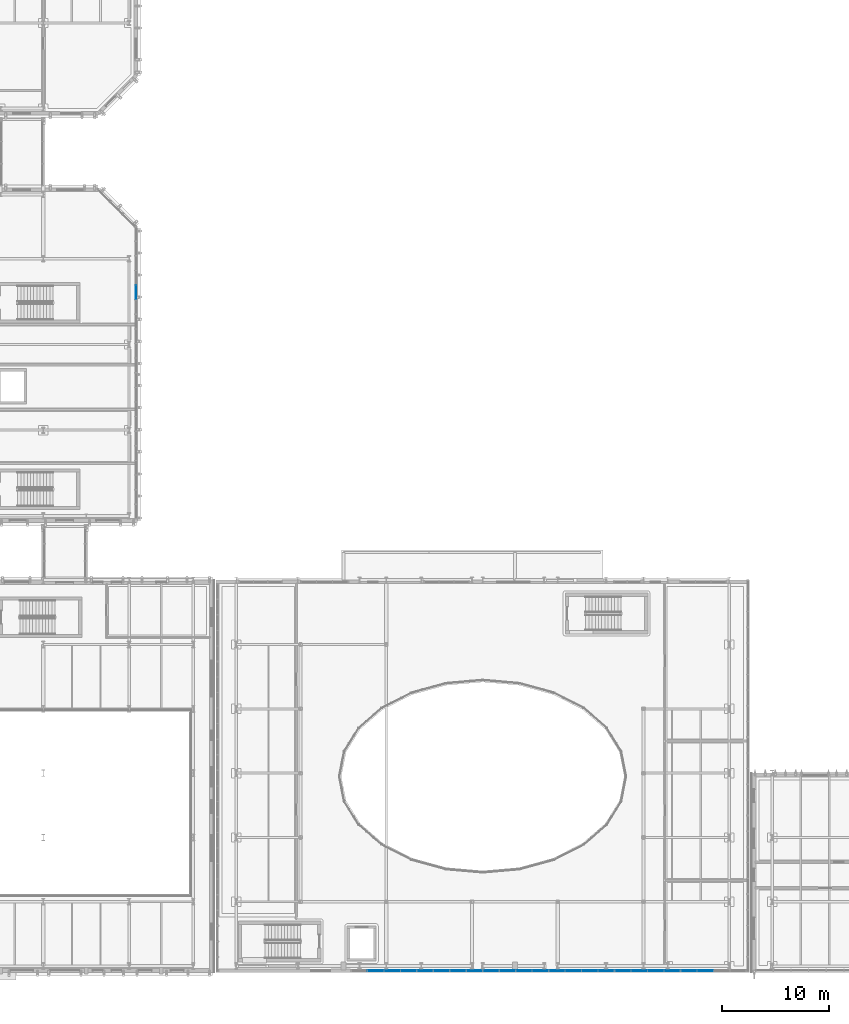
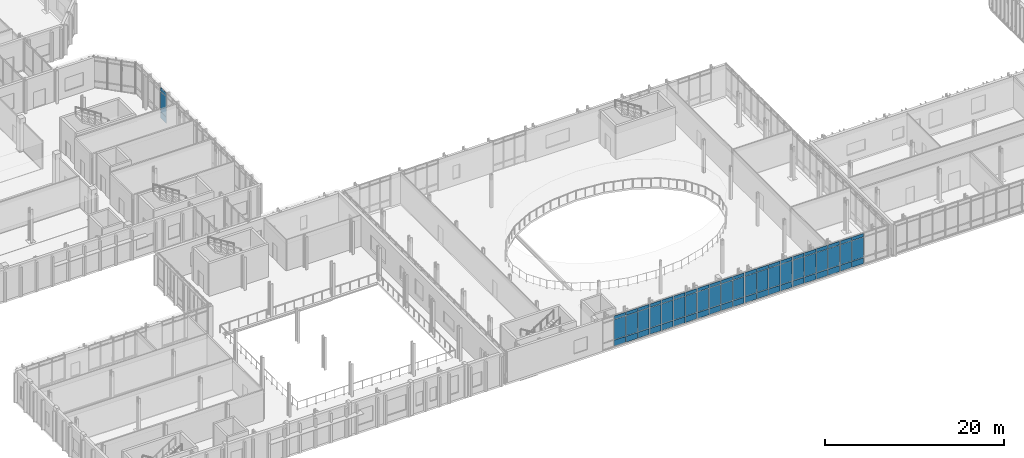
# One storey, part 51 of 100: 66 plates, 7 elements without a shape of their own.
"""IFC4 building model written with IfcOpenShell, lengths in metres."""

from ifc_helpers import new_model, si_unit, direction, frame, origin, origin_2d, place, context, subcontext, project, spatial, rectangle, extrude, material, layer, layer_set, type_object, element, aggregate, save


model = new_model("IFC4")

# Units and contexts
model_context = context("Model", 3, precision=1e-05, world=origin(), true_north=direction((0.0, 1.0)))
body_context = subcontext(model_context, "Body", "Model", "MODEL_VIEW")
ifc_project = project(units=[si_unit("LENGTHUNIT", "METRE"), si_unit("AREAUNIT", "SQUARE_METRE"), si_unit("VOLUMEUNIT", "CUBIC_METRE"), si_unit("PLANEANGLEUNIT", "RADIAN"), si_unit("MASSUNIT", "GRAM", prefix="KILO")], contexts=[model_context])

# Site, building, storey
site_placement = place(None, origin())
site = spatial("IfcSite", under=ifc_project, at=site_placement, CompositionType="ELEMENT")
building_placement = place(site_placement, origin())
building = spatial("IfcBuilding", under=site, at=building_placement, Name="Cymarion Research Institute", CompositionType="ELEMENT")
storey_placement = place(building_placement, frame((0.0, 0.0, 4.800048828125)))
storey = spatial("IfcBuildingStorey", under=building, at=storey_placement, Name="L01", CompositionType="ELEMENT", Elevation=4.800048828125)

# Curtain wall, plates
ifc_material_1 = material(Name="Anodised aluminium unitised curtain wall with Low-E glazing", Category="aluminium")
curtain_wall_type_1 = type_object("IfcCurtainWallType", Name="UNITISED CURTAIN WALL CW07 6150X4250", PredefinedType="NOTDEFINED", material=ifc_material_1)
curtain_wall_1_placement = place(storey_placement, origin())
curtain_wall_1 = element("IfcCurtainWall", 1, at=curtain_wall_1_placement, inside=storey, type_object=curtain_wall_type_1, Name="L01 V2 unitised curtain wall CW07 #13", PredefinedType="NOTDEFINED")
ifc_material_2 = material(Name="Insulated anodised aluminium spandrel panel", Category="aluminium")
ifc_layer_1 = layer(ifc_material_2, 0.06005859375)
ifc_layer_set_1 = layer_set([ifc_layer_1], Name="Insulated anodised aluminium spandrel panel")
plate_type_1 = type_object("IfcPlateType", Name="INSULATED ALUMINIUM SPANDREL PANEL SP01 60MM", PredefinedType="SHEET", material=ifc_layer_set_1)
plate_1_placement = place(storey_placement, frame((69.607177734375, 5.06005859375, 0.059814453125), z_axis=(0.0, 0.0, 1.0), x_axis=(1.0, 0.0, 0.0)))
plate_1 = element("IfcPlate", 2, at=plate_1_placement, type_object=plate_type_1, Name="CW07 panel 2.1", PredefinedType="SHEET", context=body_context, shape_type="SweptSolid", body=[
    extrude(rectangle(XDim=1.477294921875, YDim=0.06005859375, at=origin_2d()), origin(), (0.0, 0.0, 1.0), 0.81005859375),
])
plate_2_placement = place(storey_placement, frame((69.607177734375, 5.06005859375, 3.72998046875), z_axis=(0.0, 0.0, 1.0), x_axis=(1.0, 0.0, 0.0)))
plate_2 = element("IfcPlate", 3, at=plate_2_placement, type_object=plate_type_1, Name="CW07 panel 2.3", PredefinedType="SHEET", context=body_context, shape_type="SweptSolid", body=[
    extrude(rectangle(XDim=1.477294921875, YDim=0.06005859375, at=origin_2d()), origin(), (0.0, 0.0, 1.0), 0.4599609375),
])
plate_3_placement = place(storey_placement, frame((71.14453125, 5.06005859375, 0.059814453125), z_axis=(0.0, 0.0, 1.0), x_axis=(1.0, 0.0, 0.0)))
plate_3 = element("IfcPlate", 4, at=plate_3_placement, type_object=plate_type_1, Name="CW07 panel 3.1", PredefinedType="SHEET", context=body_context, shape_type="SweptSolid", body=[
    extrude(rectangle(XDim=1.477294921875, YDim=0.06005859375, at=origin_2d()), origin(), (0.0, 0.0, 1.0), 0.81005859375),
])
plate_4_placement = place(storey_placement, frame((71.14453125, 5.06005859375, 3.72998046875), z_axis=(0.0, 0.0, 1.0), x_axis=(1.0, 0.0, 0.0)))
plate_4 = element("IfcPlate", 5, at=plate_4_placement, type_object=plate_type_1, Name="CW07 panel 3.3", PredefinedType="SHEET", context=body_context, shape_type="SweptSolid", body=[
    extrude(rectangle(XDim=1.477294921875, YDim=0.06005859375, at=origin_2d()), origin(), (0.0, 0.0, 1.0), 0.4599609375),
])
plate_5_placement = place(storey_placement, frame((72.666748046875, 5.06005859375, 0.059814453125), z_axis=(0.0, 0.0, 1.0), x_axis=(1.0, 0.0, 0.0)))
plate_5 = element("IfcPlate", 6, at=plate_5_placement, type_object=plate_type_1, Name="CW07 panel 4.1", PredefinedType="SHEET", context=body_context, shape_type="SweptSolid", body=[
    extrude(rectangle(XDim=1.447265625, YDim=0.06005859375, at=origin_2d()), origin(), (0.0, 0.0, 1.0), 0.81005859375),
])
plate_6_placement = place(storey_placement, frame((72.666748046875, 5.06005859375, 3.72998046875), z_axis=(0.0, 0.0, 1.0), x_axis=(1.0, 0.0, 0.0)))
plate_6 = element("IfcPlate", 7, at=plate_6_placement, type_object=plate_type_1, Name="CW07 panel 4.3", PredefinedType="SHEET", context=body_context, shape_type="SweptSolid", body=[
    extrude(rectangle(XDim=1.447265625, YDim=0.06005859375, at=origin_2d()), origin(), (0.0, 0.0, 1.0), 0.4599609375),
])

curtain_wall_2_placement = place(storey_placement, origin())
curtain_wall_2 = element("IfcCurtainWall", 8, at=curtain_wall_2_placement, inside=storey, type_object=curtain_wall_type_1, Name="L01 V2 unitised curtain wall CW07 #14", PredefinedType="NOTDEFINED")
plate_7_placement = place(storey_placement, frame((74.234130859375, 5.06005859375, 0.059814453125), z_axis=(0.0, 0.0, 1.0), x_axis=(1.0, 0.0, 0.0)))
plate_7 = element("IfcPlate", 9, at=plate_7_placement, type_object=plate_type_1, Name="CW07 panel 1.1", PredefinedType="SHEET", context=body_context, shape_type="SweptSolid", body=[
    extrude(rectangle(XDim=1.447265625, YDim=0.06005859375, at=origin_2d()), origin(), (0.0, 0.0, 1.0), 0.81005859375),
])
plate_8_placement = place(storey_placement, frame((74.234130859375, 5.06005859375, 3.72998046875), z_axis=(0.0, 0.0, 1.0), x_axis=(1.0, 0.0, 0.0)))
plate_8 = element("IfcPlate", 10, at=plate_8_placement, type_object=plate_type_1, Name="CW07 panel 1.3", PredefinedType="SHEET", context=body_context, shape_type="SweptSolid", body=[
    extrude(rectangle(XDim=1.447265625, YDim=0.06005859375, at=origin_2d()), origin(), (0.0, 0.0, 1.0), 0.4599609375),
])
plate_9_placement = place(storey_placement, frame((75.756591796875, 5.06005859375, 0.059814453125), z_axis=(0.0, 0.0, 1.0), x_axis=(1.0, 0.0, 0.0)))
plate_9 = element("IfcPlate", 11, at=plate_9_placement, type_object=plate_type_1, Name="CW07 panel 2.1", PredefinedType="SHEET", context=body_context, shape_type="SweptSolid", body=[
    extrude(rectangle(XDim=1.477294921875, YDim=0.06005859375, at=origin_2d()), origin(), (0.0, 0.0, 1.0), 0.81005859375),
])
plate_10_placement = place(storey_placement, frame((75.756591796875, 5.06005859375, 3.72998046875), z_axis=(0.0, 0.0, 1.0), x_axis=(1.0, 0.0, 0.0)))
plate_10 = element("IfcPlate", 12, at=plate_10_placement, type_object=plate_type_1, Name="CW07 panel 2.3", PredefinedType="SHEET", context=body_context, shape_type="SweptSolid", body=[
    extrude(rectangle(XDim=1.477294921875, YDim=0.06005859375, at=origin_2d()), origin(), (0.0, 0.0, 1.0), 0.4599609375),
])
plate_11_placement = place(storey_placement, frame((77.2939453125, 5.06005859375, 0.059814453125), z_axis=(0.0, 0.0, 1.0), x_axis=(1.0, 0.0, 0.0)))
plate_11 = element("IfcPlate", 13, at=plate_11_placement, type_object=plate_type_1, Name="CW07 panel 3.1", PredefinedType="SHEET", context=body_context, shape_type="SweptSolid", body=[
    extrude(rectangle(XDim=1.477294921875, YDim=0.06005859375, at=origin_2d()), origin(), (0.0, 0.0, 1.0), 0.81005859375),
])
plate_12_placement = place(storey_placement, frame((77.2939453125, 5.06005859375, 3.72998046875), z_axis=(0.0, 0.0, 1.0), x_axis=(1.0, 0.0, 0.0)))
plate_12 = element("IfcPlate", 14, at=plate_12_placement, type_object=plate_type_1, Name="CW07 panel 3.3", PredefinedType="SHEET", context=body_context, shape_type="SweptSolid", body=[
    extrude(rectangle(XDim=1.477294921875, YDim=0.06005859375, at=origin_2d()), origin(), (0.0, 0.0, 1.0), 0.4599609375),
])
plate_13_placement = place(storey_placement, frame((78.81640625, 5.06005859375, 0.059814453125), z_axis=(0.0, 0.0, 1.0), x_axis=(1.0, 0.0, 0.0)))
plate_13 = element("IfcPlate", 15, at=plate_13_placement, type_object=plate_type_1, Name="CW07 panel 4.1", PredefinedType="SHEET", context=body_context, shape_type="SweptSolid", body=[
    extrude(rectangle(XDim=1.447265625, YDim=0.06005859375, at=origin_2d()), origin(), (0.0, 0.0, 1.0), 0.81005859375),
])
plate_14_placement = place(storey_placement, frame((78.81640625, 5.06005859375, 3.72998046875), z_axis=(0.0, 0.0, 1.0), x_axis=(1.0, 0.0, 0.0)))
plate_14 = element("IfcPlate", 16, at=plate_14_placement, type_object=plate_type_1, Name="CW07 panel 4.3", PredefinedType="SHEET", context=body_context, shape_type="SweptSolid", body=[
    extrude(rectangle(XDim=1.447265625, YDim=0.06005859375, at=origin_2d()), origin(), (0.0, 0.0, 1.0), 0.4599609375),
])

curtain_wall_3_placement = place(storey_placement, origin())
curtain_wall_3 = element("IfcCurtainWall", 17, at=curtain_wall_3_placement, inside=storey, type_object=curtain_wall_type_1, Name="L01 V2 unitised curtain wall CW07 #15", PredefinedType="NOTDEFINED")
plate_15_placement = place(storey_placement, frame((80.3837890625, 5.06005859375, 0.059814453125), z_axis=(0.0, 0.0, 1.0), x_axis=(1.0, 0.0, 0.0)))
plate_15 = element("IfcPlate", 18, at=plate_15_placement, type_object=plate_type_1, Name="CW07 panel 1.1", PredefinedType="SHEET", context=body_context, shape_type="SweptSolid", body=[
    extrude(rectangle(XDim=1.447265625, YDim=0.06005859375, at=origin_2d()), origin(), (0.0, 0.0, 1.0), 0.81005859375),
])
plate_16_placement = place(storey_placement, frame((80.3837890625, 5.06005859375, 3.72998046875), z_axis=(0.0, 0.0, 1.0), x_axis=(1.0, 0.0, 0.0)))
plate_16 = element("IfcPlate", 19, at=plate_16_placement, type_object=plate_type_1, Name="CW07 panel 1.3", PredefinedType="SHEET", context=body_context, shape_type="SweptSolid", body=[
    extrude(rectangle(XDim=1.447265625, YDim=0.06005859375, at=origin_2d()), origin(), (0.0, 0.0, 1.0), 0.4599609375),
])
plate_17_placement = place(storey_placement, frame((81.906005859375, 5.06005859375, 0.059814453125), z_axis=(0.0, 0.0, 1.0), x_axis=(1.0, 0.0, 0.0)))
plate_17 = element("IfcPlate", 20, at=plate_17_placement, type_object=plate_type_1, Name="CW07 panel 2.1", PredefinedType="SHEET", context=body_context, shape_type="SweptSolid", body=[
    extrude(rectangle(XDim=1.477294921875, YDim=0.06005859375, at=origin_2d()), origin(), (0.0, 0.0, 1.0), 0.81005859375),
])
plate_18_placement = place(storey_placement, frame((81.906005859375, 5.06005859375, 3.72998046875), z_axis=(0.0, 0.0, 1.0), x_axis=(1.0, 0.0, 0.0)))
plate_18 = element("IfcPlate", 21, at=plate_18_placement, type_object=plate_type_1, Name="CW07 panel 2.3", PredefinedType="SHEET", context=body_context, shape_type="SweptSolid", body=[
    extrude(rectangle(XDim=1.477294921875, YDim=0.06005859375, at=origin_2d()), origin(), (0.0, 0.0, 1.0), 0.4599609375),
])
plate_19_placement = place(storey_placement, frame((83.443359375, 5.06005859375, 0.059814453125), z_axis=(0.0, 0.0, 1.0), x_axis=(1.0, 0.0, 0.0)))
plate_19 = element("IfcPlate", 22, at=plate_19_placement, type_object=plate_type_1, Name="CW07 panel 3.1", PredefinedType="SHEET", context=body_context, shape_type="SweptSolid", body=[
    extrude(rectangle(XDim=1.477294921875, YDim=0.06005859375, at=origin_2d()), origin(), (0.0, 0.0, 1.0), 0.81005859375),
])
plate_20_placement = place(storey_placement, frame((83.443359375, 5.06005859375, 3.72998046875), z_axis=(0.0, 0.0, 1.0), x_axis=(1.0, 0.0, 0.0)))
plate_20 = element("IfcPlate", 23, at=plate_20_placement, type_object=plate_type_1, Name="CW07 panel 3.3", PredefinedType="SHEET", context=body_context, shape_type="SweptSolid", body=[
    extrude(rectangle(XDim=1.477294921875, YDim=0.06005859375, at=origin_2d()), origin(), (0.0, 0.0, 1.0), 0.4599609375),
])
plate_21_placement = place(storey_placement, frame((84.9658203125, 5.06005859375, 0.059814453125), z_axis=(0.0, 0.0, 1.0), x_axis=(1.0, 0.0, 0.0)))
plate_21 = element("IfcPlate", 24, at=plate_21_placement, type_object=plate_type_1, Name="CW07 panel 4.1", PredefinedType="SHEET", context=body_context, shape_type="SweptSolid", body=[
    extrude(rectangle(XDim=1.447265625, YDim=0.06005859375, at=origin_2d()), origin(), (0.0, 0.0, 1.0), 0.81005859375),
])
plate_22_placement = place(storey_placement, frame((84.9658203125, 5.06005859375, 3.72998046875), z_axis=(0.0, 0.0, 1.0), x_axis=(1.0, 0.0, 0.0)))
plate_22 = element("IfcPlate", 25, at=plate_22_placement, type_object=plate_type_1, Name="CW07 panel 4.3", PredefinedType="SHEET", context=body_context, shape_type="SweptSolid", body=[
    extrude(rectangle(XDim=1.447265625, YDim=0.06005859375, at=origin_2d()), origin(), (0.0, 0.0, 1.0), 0.4599609375),
])

curtain_wall_4_placement = place(storey_placement, origin())
curtain_wall_4 = element("IfcCurtainWall", 26, at=curtain_wall_4_placement, inside=storey, type_object=curtain_wall_type_1, Name="L01 V2 unitised curtain wall CW07 #16", PredefinedType="NOTDEFINED")
plate_23_placement = place(storey_placement, frame((86.533203125, 5.06005859375, 0.059814453125), z_axis=(0.0, 0.0, 1.0), x_axis=(1.0, 0.0, 0.0)))
plate_23 = element("IfcPlate", 27, at=plate_23_placement, type_object=plate_type_1, Name="CW07 panel 1.1", PredefinedType="SHEET", context=body_context, shape_type="SweptSolid", body=[
    extrude(rectangle(XDim=1.447265625, YDim=0.06005859375, at=origin_2d()), origin(), (0.0, 0.0, 1.0), 0.81005859375),
])
plate_24_placement = place(storey_placement, frame((86.533203125, 5.06005859375, 3.72998046875), z_axis=(0.0, 0.0, 1.0), x_axis=(1.0, 0.0, 0.0)))
plate_24 = element("IfcPlate", 28, at=plate_24_placement, type_object=plate_type_1, Name="CW07 panel 1.3", PredefinedType="SHEET", context=body_context, shape_type="SweptSolid", body=[
    extrude(rectangle(XDim=1.447265625, YDim=0.06005859375, at=origin_2d()), origin(), (0.0, 0.0, 1.0), 0.4599609375),
])
plate_25_placement = place(storey_placement, frame((88.0556640625, 5.06005859375, 0.059814453125), z_axis=(0.0, 0.0, 1.0), x_axis=(1.0, 0.0, 0.0)))
plate_25 = element("IfcPlate", 29, at=plate_25_placement, type_object=plate_type_1, Name="CW07 panel 2.1", PredefinedType="SHEET", context=body_context, shape_type="SweptSolid", body=[
    extrude(rectangle(XDim=1.477294921875, YDim=0.06005859375, at=origin_2d()), origin(), (0.0, 0.0, 1.0), 0.81005859375),
])
plate_26_placement = place(storey_placement, frame((88.0556640625, 5.06005859375, 3.72998046875), z_axis=(0.0, 0.0, 1.0), x_axis=(1.0, 0.0, 0.0)))
plate_26 = element("IfcPlate", 30, at=plate_26_placement, type_object=plate_type_1, Name="CW07 panel 2.3", PredefinedType="SHEET", context=body_context, shape_type="SweptSolid", body=[
    extrude(rectangle(XDim=1.477294921875, YDim=0.06005859375, at=origin_2d()), origin(), (0.0, 0.0, 1.0), 0.4599609375),
])
plate_27_placement = place(storey_placement, frame((89.593017578125, 5.06005859375, 0.059814453125), z_axis=(0.0, 0.0, 1.0), x_axis=(1.0, 0.0, 0.0)))
plate_27 = element("IfcPlate", 31, at=plate_27_placement, type_object=plate_type_1, Name="CW07 panel 3.1", PredefinedType="SHEET", context=body_context, shape_type="SweptSolid", body=[
    extrude(rectangle(XDim=1.477294921875, YDim=0.06005859375, at=origin_2d()), origin(), (0.0, 0.0, 1.0), 0.81005859375),
])
plate_28_placement = place(storey_placement, frame((89.593017578125, 5.06005859375, 3.72998046875), z_axis=(0.0, 0.0, 1.0), x_axis=(1.0, 0.0, 0.0)))
plate_28 = element("IfcPlate", 32, at=plate_28_placement, type_object=plate_type_1, Name="CW07 panel 3.3", PredefinedType="SHEET", context=body_context, shape_type="SweptSolid", body=[
    extrude(rectangle(XDim=1.477294921875, YDim=0.06005859375, at=origin_2d()), origin(), (0.0, 0.0, 1.0), 0.4599609375),
])
plate_29_placement = place(storey_placement, frame((91.115234375, 5.06005859375, 0.059814453125), z_axis=(0.0, 0.0, 1.0), x_axis=(1.0, 0.0, 0.0)))
plate_29 = element("IfcPlate", 33, at=plate_29_placement, type_object=plate_type_1, Name="CW07 panel 4.1", PredefinedType="SHEET", context=body_context, shape_type="SweptSolid", body=[
    extrude(rectangle(XDim=1.447265625, YDim=0.06005859375, at=origin_2d()), origin(), (0.0, 0.0, 1.0), 0.81005859375),
])
plate_30_placement = place(storey_placement, frame((91.115234375, 5.06005859375, 3.72998046875), z_axis=(0.0, 0.0, 1.0), x_axis=(1.0, 0.0, 0.0)))
plate_30 = element("IfcPlate", 34, at=plate_30_placement, type_object=plate_type_1, Name="CW07 panel 4.3", PredefinedType="SHEET", context=body_context, shape_type="SweptSolid", body=[
    extrude(rectangle(XDim=1.447265625, YDim=0.06005859375, at=origin_2d()), origin(), (0.0, 0.0, 1.0), 0.4599609375),
])

curtain_wall_5_placement = place(storey_placement, origin())
curtain_wall_5 = element("IfcCurtainWall", 35, at=curtain_wall_5_placement, inside=storey, type_object=curtain_wall_type_1, Name="L01 V2 unitised curtain wall CW07 #17", PredefinedType="NOTDEFINED")
plate_31_placement = place(storey_placement, frame((92.6826171875, 5.06005859375, 0.059814453125), z_axis=(0.0, 0.0, 1.0), x_axis=(1.0, 0.0, 0.0)))
plate_31 = element("IfcPlate", 36, at=plate_31_placement, type_object=plate_type_1, Name="CW07 panel 1.1", PredefinedType="SHEET", context=body_context, shape_type="SweptSolid", body=[
    extrude(rectangle(XDim=1.447265625, YDim=0.06005859375, at=origin_2d()), origin(), (0.0, 0.0, 1.0), 0.81005859375),
])
plate_32_placement = place(storey_placement, frame((92.6826171875, 5.06005859375, 3.72998046875), z_axis=(0.0, 0.0, 1.0), x_axis=(1.0, 0.0, 0.0)))
plate_32 = element("IfcPlate", 37, at=plate_32_placement, type_object=plate_type_1, Name="CW07 panel 1.3", PredefinedType="SHEET", context=body_context, shape_type="SweptSolid", body=[
    extrude(rectangle(XDim=1.447265625, YDim=0.06005859375, at=origin_2d()), origin(), (0.0, 0.0, 1.0), 0.4599609375),
])
plate_33_placement = place(storey_placement, frame((94.205078125, 5.06005859375, 0.059814453125), z_axis=(0.0, 0.0, 1.0), x_axis=(1.0, 0.0, 0.0)))
plate_33 = element("IfcPlate", 38, at=plate_33_placement, type_object=plate_type_1, Name="CW07 panel 2.1", PredefinedType="SHEET", context=body_context, shape_type="SweptSolid", body=[
    extrude(rectangle(XDim=1.477294921875, YDim=0.06005859375, at=origin_2d()), origin(), (0.0, 0.0, 1.0), 0.81005859375),
])
plate_34_placement = place(storey_placement, frame((94.205078125, 5.06005859375, 3.72998046875), z_axis=(0.0, 0.0, 1.0), x_axis=(1.0, 0.0, 0.0)))
plate_34 = element("IfcPlate", 39, at=plate_34_placement, type_object=plate_type_1, Name="CW07 panel 2.3", PredefinedType="SHEET", context=body_context, shape_type="SweptSolid", body=[
    extrude(rectangle(XDim=1.477294921875, YDim=0.06005859375, at=origin_2d()), origin(), (0.0, 0.0, 1.0), 0.4599609375),
])
plate_35_placement = place(storey_placement, frame((95.742431640625, 5.06005859375, 0.059814453125), z_axis=(0.0, 0.0, 1.0), x_axis=(1.0, 0.0, 0.0)))
plate_35 = element("IfcPlate", 40, at=plate_35_placement, type_object=plate_type_1, Name="CW07 panel 3.1", PredefinedType="SHEET", context=body_context, shape_type="SweptSolid", body=[
    extrude(rectangle(XDim=1.477294921875, YDim=0.06005859375, at=origin_2d()), origin(), (0.0, 0.0, 1.0), 0.81005859375),
])
plate_36_placement = place(storey_placement, frame((95.742431640625, 5.06005859375, 3.72998046875), z_axis=(0.0, 0.0, 1.0), x_axis=(1.0, 0.0, 0.0)))
plate_36 = element("IfcPlate", 41, at=plate_36_placement, type_object=plate_type_1, Name="CW07 panel 3.3", PredefinedType="SHEET", context=body_context, shape_type="SweptSolid", body=[
    extrude(rectangle(XDim=1.477294921875, YDim=0.06005859375, at=origin_2d()), origin(), (0.0, 0.0, 1.0), 0.4599609375),
])
plate_37_placement = place(storey_placement, frame((97.264892578125, 5.06005859375, 0.059814453125), z_axis=(0.0, 0.0, 1.0), x_axis=(1.0, 0.0, 0.0)))
plate_37 = element("IfcPlate", 42, at=plate_37_placement, type_object=plate_type_1, Name="CW07 panel 4.1", PredefinedType="SHEET", context=body_context, shape_type="SweptSolid", body=[
    extrude(rectangle(XDim=1.447265625, YDim=0.06005859375, at=origin_2d()), origin(), (0.0, 0.0, 1.0), 0.81005859375),
])
plate_38_placement = place(storey_placement, frame((97.264892578125, 5.06005859375, 3.72998046875), z_axis=(0.0, 0.0, 1.0), x_axis=(1.0, 0.0, 0.0)))
plate_38 = element("IfcPlate", 43, at=plate_38_placement, type_object=plate_type_1, Name="CW07 panel 4.3", PredefinedType="SHEET", context=body_context, shape_type="SweptSolid", body=[
    extrude(rectangle(XDim=1.447265625, YDim=0.06005859375, at=origin_2d()), origin(), (0.0, 0.0, 1.0), 0.4599609375),
])

curtain_wall_6_placement = place(storey_placement, origin())
curtain_wall_6 = element("IfcCurtainWall", 44, at=curtain_wall_6_placement, inside=storey, type_object=curtain_wall_type_1, Name="L01 V2 unitised curtain wall CW07 #18", PredefinedType="NOTDEFINED")
plate_39_placement = place(storey_placement, frame((98.832275390625, 5.06005859375, 0.059814453125), z_axis=(0.0, 0.0, 1.0), x_axis=(1.0, 0.0, 0.0)))
plate_39 = element("IfcPlate", 45, at=plate_39_placement, type_object=plate_type_1, Name="CW07 panel 1.1", PredefinedType="SHEET", context=body_context, shape_type="SweptSolid", body=[
    extrude(rectangle(XDim=1.447265625, YDim=0.06005859375, at=origin_2d()), origin(), (0.0, 0.0, 1.0), 0.81005859375),
])
plate_40_placement = place(storey_placement, frame((98.832275390625, 5.06005859375, 3.72998046875), z_axis=(0.0, 0.0, 1.0), x_axis=(1.0, 0.0, 0.0)))
plate_40 = element("IfcPlate", 46, at=plate_40_placement, type_object=plate_type_1, Name="CW07 panel 1.3", PredefinedType="SHEET", context=body_context, shape_type="SweptSolid", body=[
    extrude(rectangle(XDim=1.447265625, YDim=0.06005859375, at=origin_2d()), origin(), (0.0, 0.0, 1.0), 0.4599609375),
])
plate_41_placement = place(storey_placement, frame((100.3544921875, 5.06005859375, 0.059814453125), z_axis=(0.0, 0.0, 1.0), x_axis=(1.0, 0.0, 0.0)))
plate_41 = element("IfcPlate", 47, at=plate_41_placement, type_object=plate_type_1, Name="CW07 panel 2.1", PredefinedType="SHEET", context=body_context, shape_type="SweptSolid", body=[
    extrude(rectangle(XDim=1.477294921875, YDim=0.06005859375, at=origin_2d()), origin(), (0.0, 0.0, 1.0), 0.81005859375),
])
plate_42_placement = place(storey_placement, frame((100.3544921875, 5.06005859375, 3.72998046875), z_axis=(0.0, 0.0, 1.0), x_axis=(1.0, 0.0, 0.0)))
plate_42 = element("IfcPlate", 48, at=plate_42_placement, type_object=plate_type_1, Name="CW07 panel 2.3", PredefinedType="SHEET", context=body_context, shape_type="SweptSolid", body=[
    extrude(rectangle(XDim=1.477294921875, YDim=0.06005859375, at=origin_2d()), origin(), (0.0, 0.0, 1.0), 0.4599609375),
])

curtain_wall_type_2 = type_object("IfcCurtainWallType", Name="UNITISED CURTAIN WALL CW20 6820X4250", PredefinedType="NOTDEFINED", material=ifc_material_1)
curtain_wall_7_placement = place(storey_placement, origin())
curtain_wall_7 = element("IfcCurtainWall", 49, at=curtain_wall_7_placement, inside=storey, type_object=curtain_wall_type_2, Name="L01 V4 unitised curtain wall CW20 #42", PredefinedType="NOTDEFINED")
plate_43_placement = place(storey_placement, frame((47.22998046875, 68.37744140625, 0.059814453125), z_axis=(0.0, 0.0, 1.0), x_axis=(0.0, 1.0, 0.0)))
plate_43 = element("IfcPlate", 50, at=plate_43_placement, type_object=plate_type_1, Name="CW20 panel 1.1", PredefinedType="SHEET", context=body_context, shape_type="SweptSolid", body=[
    extrude(rectangle(XDim=1.27392578125, YDim=0.06005859375, at=origin_2d()), origin(), (0.0, 0.0, 1.0), 0.81005859375),
])
plate_44_placement = place(storey_placement, frame((47.22998046875, 68.37744140625, 3.72998046875), z_axis=(0.0, 0.0, 1.0), x_axis=(0.0, 1.0, 0.0)))
plate_44 = element("IfcPlate", 51, at=plate_44_placement, type_object=plate_type_1, Name="CW20 panel 1.3", PredefinedType="SHEET", context=body_context, shape_type="SweptSolid", body=[
    extrude(rectangle(XDim=1.27392578125, YDim=0.06005859375, at=origin_2d()), origin(), (0.0, 0.0, 1.0), 0.4599609375),
])

# Plate
ifc_material_3 = material(Name="Low-E double solar-control glazing", Category="glass")
ifc_layer_2 = layer(ifc_material_3, 0.035888671875)
ifc_layer_set_2 = layer_set([ifc_layer_2], Name="Low-E double solar-control glazing")
plate_type_2 = type_object("IfcPlateType", Name="SOLAR CONTROL GLAZED VISION PANEL GP01 36MM", PredefinedType="CURTAIN_PANEL", material=ifc_layer_set_2)
plate_45_placement = place(storey_placement, frame((69.607177734375, 5.06005859375, 0.93017578125), z_axis=(0.0, 0.0, 1.0), x_axis=(1.0, 0.0, 0.0)))
plate_45 = element("IfcPlate", 52, at=plate_45_placement, type_object=plate_type_2, Name="CW07 panel 2.2", PredefinedType="CURTAIN_PANEL", context=body_context, shape_type="SweptSolid", body=[
    extrude(rectangle(XDim=1.477294921875, YDim=0.035888671875, at=origin_2d()), origin(), (0.0, 0.0, 1.0), 2.739990234375),
])

plate_46_placement = place(storey_placement, frame((71.14453125, 5.06005859375, 0.93017578125), z_axis=(0.0, 0.0, 1.0), x_axis=(1.0, 0.0, 0.0)))
plate_46 = element("IfcPlate", 53, at=plate_46_placement, type_object=plate_type_2, Name="CW07 panel 3.2", PredefinedType="CURTAIN_PANEL", context=body_context, shape_type="SweptSolid", body=[
    extrude(rectangle(XDim=1.477294921875, YDim=0.035888671875, at=origin_2d()), origin(), (0.0, 0.0, 1.0), 2.739990234375),
])

plate_47_placement = place(storey_placement, frame((72.666748046875, 5.06005859375, 0.93017578125), z_axis=(0.0, 0.0, 1.0), x_axis=(1.0, 0.0, 0.0)))
plate_47 = element("IfcPlate", 54, at=plate_47_placement, type_object=plate_type_2, Name="CW07 panel 4.2", PredefinedType="CURTAIN_PANEL", context=body_context, shape_type="SweptSolid", body=[
    extrude(rectangle(XDim=1.447265625, YDim=0.035888671875, at=origin_2d()), origin(), (0.0, 0.0, 1.0), 2.739990234375),
])

aggregate(curtain_wall_1, [plate_1, plate_45, plate_2, plate_3, plate_46, plate_4, plate_5, plate_47, plate_6])

plate_48_placement = place(storey_placement, frame((74.234130859375, 5.06005859375, 0.93017578125), z_axis=(0.0, 0.0, 1.0), x_axis=(1.0, 0.0, 0.0)))
plate_48 = element("IfcPlate", 55, at=plate_48_placement, type_object=plate_type_2, Name="CW07 panel 1.2", PredefinedType="CURTAIN_PANEL", context=body_context, shape_type="SweptSolid", body=[
    extrude(rectangle(XDim=1.447265625, YDim=0.035888671875, at=origin_2d()), origin(), (0.0, 0.0, 1.0), 2.739990234375),
])

plate_49_placement = place(storey_placement, frame((75.756591796875, 5.06005859375, 0.93017578125), z_axis=(0.0, 0.0, 1.0), x_axis=(1.0, 0.0, 0.0)))
plate_49 = element("IfcPlate", 56, at=plate_49_placement, type_object=plate_type_2, Name="CW07 panel 2.2", PredefinedType="CURTAIN_PANEL", context=body_context, shape_type="SweptSolid", body=[
    extrude(rectangle(XDim=1.477294921875, YDim=0.035888671875, at=origin_2d()), origin(), (0.0, 0.0, 1.0), 2.739990234375),
])

plate_50_placement = place(storey_placement, frame((77.2939453125, 5.06005859375, 0.93017578125), z_axis=(0.0, 0.0, 1.0), x_axis=(1.0, 0.0, 0.0)))
plate_50 = element("IfcPlate", 57, at=plate_50_placement, type_object=plate_type_2, Name="CW07 panel 3.2", PredefinedType="CURTAIN_PANEL", context=body_context, shape_type="SweptSolid", body=[
    extrude(rectangle(XDim=1.477294921875, YDim=0.035888671875, at=origin_2d()), origin(), (0.0, 0.0, 1.0), 2.739990234375),
])

plate_51_placement = place(storey_placement, frame((78.81640625, 5.06005859375, 0.93017578125), z_axis=(0.0, 0.0, 1.0), x_axis=(1.0, 0.0, 0.0)))
plate_51 = element("IfcPlate", 58, at=plate_51_placement, type_object=plate_type_2, Name="CW07 panel 4.2", PredefinedType="CURTAIN_PANEL", context=body_context, shape_type="SweptSolid", body=[
    extrude(rectangle(XDim=1.447265625, YDim=0.035888671875, at=origin_2d()), origin(), (0.0, 0.0, 1.0), 2.739990234375),
])

aggregate(curtain_wall_2, [plate_7, plate_48, plate_8, plate_9, plate_49, plate_10, plate_11, plate_50, plate_12, plate_13, plate_51, plate_14])

plate_52_placement = place(storey_placement, frame((80.3837890625, 5.06005859375, 0.93017578125), z_axis=(0.0, 0.0, 1.0), x_axis=(1.0, 0.0, 0.0)))
plate_52 = element("IfcPlate", 59, at=plate_52_placement, type_object=plate_type_2, Name="CW07 panel 1.2", PredefinedType="CURTAIN_PANEL", context=body_context, shape_type="SweptSolid", body=[
    extrude(rectangle(XDim=1.447265625, YDim=0.035888671875, at=origin_2d()), origin(), (0.0, 0.0, 1.0), 2.739990234375),
])

plate_53_placement = place(storey_placement, frame((81.906005859375, 5.06005859375, 0.93017578125), z_axis=(0.0, 0.0, 1.0), x_axis=(1.0, 0.0, 0.0)))
plate_53 = element("IfcPlate", 60, at=plate_53_placement, type_object=plate_type_2, Name="CW07 panel 2.2", PredefinedType="CURTAIN_PANEL", context=body_context, shape_type="SweptSolid", body=[
    extrude(rectangle(XDim=1.477294921875, YDim=0.035888671875, at=origin_2d()), origin(), (0.0, 0.0, 1.0), 2.739990234375),
])

plate_54_placement = place(storey_placement, frame((83.443359375, 5.06005859375, 0.93017578125), z_axis=(0.0, 0.0, 1.0), x_axis=(1.0, 0.0, 0.0)))
plate_54 = element("IfcPlate", 61, at=plate_54_placement, type_object=plate_type_2, Name="CW07 panel 3.2", PredefinedType="CURTAIN_PANEL", context=body_context, shape_type="SweptSolid", body=[
    extrude(rectangle(XDim=1.477294921875, YDim=0.035888671875, at=origin_2d()), origin(), (0.0, 0.0, 1.0), 2.739990234375),
])

plate_55_placement = place(storey_placement, frame((84.9658203125, 5.06005859375, 0.93017578125), z_axis=(0.0, 0.0, 1.0), x_axis=(1.0, 0.0, 0.0)))
plate_55 = element("IfcPlate", 62, at=plate_55_placement, type_object=plate_type_2, Name="CW07 panel 4.2", PredefinedType="CURTAIN_PANEL", context=body_context, shape_type="SweptSolid", body=[
    extrude(rectangle(XDim=1.447265625, YDim=0.035888671875, at=origin_2d()), origin(), (0.0, 0.0, 1.0), 2.739990234375),
])

aggregate(curtain_wall_3, [plate_15, plate_52, plate_16, plate_17, plate_53, plate_18, plate_19, plate_54, plate_20, plate_21, plate_55, plate_22])

plate_56_placement = place(storey_placement, frame((86.533203125, 5.06005859375, 0.93017578125), z_axis=(0.0, 0.0, 1.0), x_axis=(1.0, 0.0, 0.0)))
plate_56 = element("IfcPlate", 63, at=plate_56_placement, type_object=plate_type_2, Name="CW07 panel 1.2", PredefinedType="CURTAIN_PANEL", context=body_context, shape_type="SweptSolid", body=[
    extrude(rectangle(XDim=1.447265625, YDim=0.035888671875, at=origin_2d()), origin(), (0.0, 0.0, 1.0), 2.739990234375),
])

plate_57_placement = place(storey_placement, frame((88.0556640625, 5.06005859375, 0.93017578125), z_axis=(0.0, 0.0, 1.0), x_axis=(1.0, 0.0, 0.0)))
plate_57 = element("IfcPlate", 64, at=plate_57_placement, type_object=plate_type_2, Name="CW07 panel 2.2", PredefinedType="CURTAIN_PANEL", context=body_context, shape_type="SweptSolid", body=[
    extrude(rectangle(XDim=1.477294921875, YDim=0.035888671875, at=origin_2d()), origin(), (0.0, 0.0, 1.0), 2.739990234375),
])

plate_58_placement = place(storey_placement, frame((89.593017578125, 5.06005859375, 0.93017578125), z_axis=(0.0, 0.0, 1.0), x_axis=(1.0, 0.0, 0.0)))
plate_58 = element("IfcPlate", 65, at=plate_58_placement, type_object=plate_type_2, Name="CW07 panel 3.2", PredefinedType="CURTAIN_PANEL", context=body_context, shape_type="SweptSolid", body=[
    extrude(rectangle(XDim=1.477294921875, YDim=0.035888671875, at=origin_2d()), origin(), (0.0, 0.0, 1.0), 2.739990234375),
])

plate_59_placement = place(storey_placement, frame((91.115234375, 5.06005859375, 0.93017578125), z_axis=(0.0, 0.0, 1.0), x_axis=(1.0, 0.0, 0.0)))
plate_59 = element("IfcPlate", 66, at=plate_59_placement, type_object=plate_type_2, Name="CW07 panel 4.2", PredefinedType="CURTAIN_PANEL", context=body_context, shape_type="SweptSolid", body=[
    extrude(rectangle(XDim=1.447265625, YDim=0.035888671875, at=origin_2d()), origin(), (0.0, 0.0, 1.0), 2.739990234375),
])

aggregate(curtain_wall_4, [plate_23, plate_56, plate_24, plate_25, plate_57, plate_26, plate_27, plate_58, plate_28, plate_29, plate_59, plate_30])

plate_60_placement = place(storey_placement, frame((92.6826171875, 5.06005859375, 0.93017578125), z_axis=(0.0, 0.0, 1.0), x_axis=(1.0, 0.0, 0.0)))
plate_60 = element("IfcPlate", 67, at=plate_60_placement, type_object=plate_type_2, Name="CW07 panel 1.2", PredefinedType="CURTAIN_PANEL", context=body_context, shape_type="SweptSolid", body=[
    extrude(rectangle(XDim=1.447265625, YDim=0.035888671875, at=origin_2d()), origin(), (0.0, 0.0, 1.0), 2.739990234375),
])

plate_61_placement = place(storey_placement, frame((94.205078125, 5.06005859375, 0.93017578125), z_axis=(0.0, 0.0, 1.0), x_axis=(1.0, 0.0, 0.0)))
plate_61 = element("IfcPlate", 68, at=plate_61_placement, type_object=plate_type_2, Name="CW07 panel 2.2", PredefinedType="CURTAIN_PANEL", context=body_context, shape_type="SweptSolid", body=[
    extrude(rectangle(XDim=1.477294921875, YDim=0.035888671875, at=origin_2d()), origin(), (0.0, 0.0, 1.0), 2.739990234375),
])

plate_62_placement = place(storey_placement, frame((95.742431640625, 5.06005859375, 0.93017578125), z_axis=(0.0, 0.0, 1.0), x_axis=(1.0, 0.0, 0.0)))
plate_62 = element("IfcPlate", 69, at=plate_62_placement, type_object=plate_type_2, Name="CW07 panel 3.2", PredefinedType="CURTAIN_PANEL", context=body_context, shape_type="SweptSolid", body=[
    extrude(rectangle(XDim=1.477294921875, YDim=0.035888671875, at=origin_2d()), origin(), (0.0, 0.0, 1.0), 2.739990234375),
])

plate_63_placement = place(storey_placement, frame((97.264892578125, 5.06005859375, 0.93017578125), z_axis=(0.0, 0.0, 1.0), x_axis=(1.0, 0.0, 0.0)))
plate_63 = element("IfcPlate", 70, at=plate_63_placement, type_object=plate_type_2, Name="CW07 panel 4.2", PredefinedType="CURTAIN_PANEL", context=body_context, shape_type="SweptSolid", body=[
    extrude(rectangle(XDim=1.447265625, YDim=0.035888671875, at=origin_2d()), origin(), (0.0, 0.0, 1.0), 2.739990234375),
])

aggregate(curtain_wall_5, [plate_31, plate_60, plate_32, plate_33, plate_61, plate_34, plate_35, plate_62, plate_36, plate_37, plate_63, plate_38])

plate_64_placement = place(storey_placement, frame((98.832275390625, 5.06005859375, 0.93017578125), z_axis=(0.0, 0.0, 1.0), x_axis=(1.0, 0.0, 0.0)))
plate_64 = element("IfcPlate", 71, at=plate_64_placement, type_object=plate_type_2, Name="CW07 panel 1.2", PredefinedType="CURTAIN_PANEL", context=body_context, shape_type="SweptSolid", body=[
    extrude(rectangle(XDim=1.447265625, YDim=0.035888671875, at=origin_2d()), origin(), (0.0, 0.0, 1.0), 2.739990234375),
])

plate_65_placement = place(storey_placement, frame((100.3544921875, 5.06005859375, 0.93017578125), z_axis=(0.0, 0.0, 1.0), x_axis=(1.0, 0.0, 0.0)))
plate_65 = element("IfcPlate", 72, at=plate_65_placement, type_object=plate_type_2, Name="CW07 panel 2.2", PredefinedType="CURTAIN_PANEL", context=body_context, shape_type="SweptSolid", body=[
    extrude(rectangle(XDim=1.477294921875, YDim=0.035888671875, at=origin_2d()), origin(), (0.0, 0.0, 1.0), 2.739990234375),
])

aggregate(curtain_wall_6, [plate_39, plate_64, plate_40, plate_41, plate_65, plate_42])

plate_66_placement = place(storey_placement, frame((47.22998046875, 68.37744140625, 0.93017578125), z_axis=(0.0, 0.0, 1.0), x_axis=(0.0, 1.0, 0.0)))
plate_66 = element("IfcPlate", 73, at=plate_66_placement, type_object=plate_type_2, Name="CW20 panel 1.2", PredefinedType="CURTAIN_PANEL", context=body_context, shape_type="SweptSolid", body=[
    extrude(rectangle(XDim=1.27392578125, YDim=0.035888671875, at=origin_2d()), origin(), (0.0, 0.0, 1.0), 2.739990234375),
])

aggregate(curtain_wall_7, [plate_43, plate_66, plate_44])

save(model, "model.ifc")
